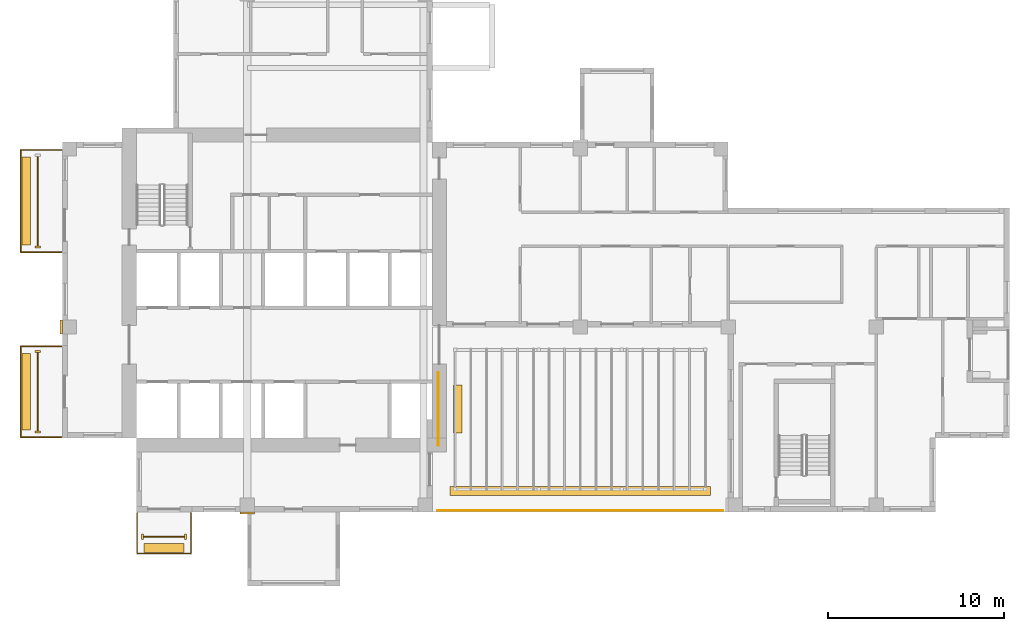
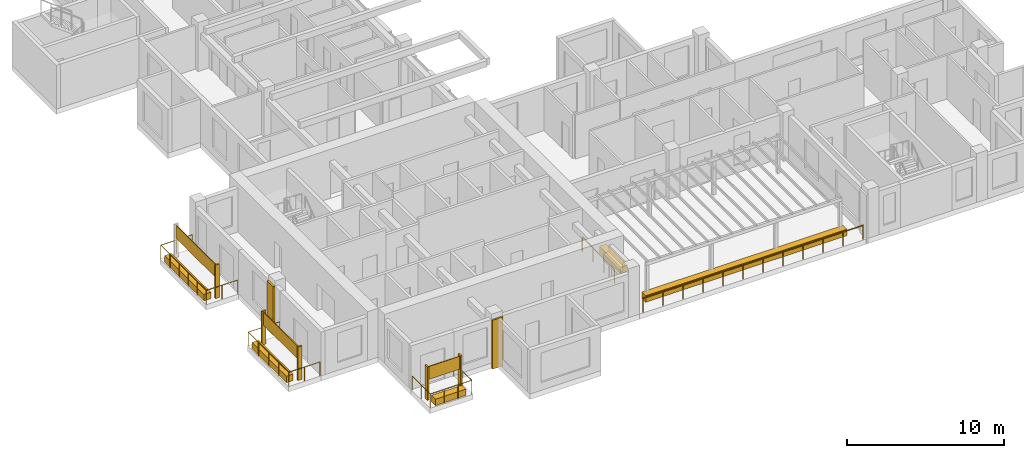
# One storey, part 10 of 13: 15 coverings, 5 railings.
"""IFC4 building model written with IfcOpenShell, lengths in metres."""

import ifcopenshell
import ifcopenshell.guid

model = None  # the IFC model being written
_history = None  # IfcOwnerHistory: only IFC2X3 demands one
_inside = {}  # id of a spatial element -> (the spatial element, [elements in it])
_under = {}  # id of a project, library or spatial element -> (it, [spatial elements below it])
_declared = {}  # id of a project -> (the project, [libraries it declares])
_typed = {}  # id of a type object -> (the type object, [elements of that type])
_made_of = {}  # id of a material, layer set ... -> (it, [elements and type objects made of it])


def new_model(schema):
    """Start an empty IFC model of exactly this schema.

    Asked for "IFC4X3", IfcOpenShell would pick the latest addendum, in which some entities
    have other attributes; the version numbers below select the first issue.
    IFC2X3 requires an IfcOwnerHistory on every rooted entity: one is made here for all.
    """
    global model, _history
    if schema == "IFC4X3":
        model = ifcopenshell.file(schema_version=(4, 3, 0, 0))
    else:
        model = ifcopenshell.file(schema=schema)
    _inside.clear()
    _under.clear()
    _declared.clear()
    _typed.clear()
    _made_of.clear()
    _history = None
    if model.schema == "IFC2X3":
        org = make("IfcOrganization", Name="unknown")
        user = make(
            "IfcPersonAndOrganization",
            ThePerson=make("IfcPerson", FamilyName="unknown"),
            TheOrganization=org,
        )
        app = make(
            "IfcApplication",
            ApplicationDeveloper=org,
            Version="unknown",
            ApplicationFullName="unknown",
            ApplicationIdentifier="unknown",
        )
        _history = make(
            "IfcOwnerHistory",
            OwningUser=user,
            OwningApplication=app,
            ChangeAction="ADDED",
            CreationDate=0,
        )
    return model


def make(cls, **values):
    """One entity of the class cls with the attributes given. An attribute that is None is left unset."""
    return model.create_entity(
        cls, **{name: value for name, value in values.items() if value is not None}
    )


def rooted(cls, **values):
    """An entity with a GlobalId (a new one), such as an element, a storey or a relation."""
    return make(cls, GlobalId=ifcopenshell.guid.new(), OwnerHistory=_history, **values)


def si_unit(unit_type, name, prefix=None):
    """IfcSIUnit, for example si_unit("LENGTHUNIT", "METRE", prefix="MILLI")."""
    return make("IfcSIUnit", UnitType=unit_type, Prefix=prefix, Name=name)


def assignment(units):
    """IfcUnitAssignment: the units of a project."""
    return None if units is None else make("IfcUnitAssignment", Units=units)


def point(xyz):
    """IfcCartesianPoint."""
    return None if xyz is None else make("IfcCartesianPoint", Coordinates=xyz)


def direction(xyz):
    """IfcDirection."""
    return None if xyz is None else make("IfcDirection", DirectionRatios=xyz)


def frame(location, z_axis=None, x_axis=None):
    """IfcAxis2Placement3D, a coordinate frame: its origin and axes. An axis left out is left unset."""
    return make(
        "IfcAxis2Placement3D",
        Location=point(location),
        Axis=direction(z_axis),
        RefDirection=direction(x_axis),
    )


def frame_2d(location, x_axis=None):
    """IfcAxis2Placement2D, a coordinate frame in the plane: its origin and x axis."""
    return make(
        "IfcAxis2Placement2D", Location=point(location), RefDirection=direction(x_axis)
    )


def origin():
    """The frame at (0, 0, 0) with its axes left unset."""
    return frame((0.0, 0.0, 0.0))


def origin_2d():
    """The frame at (0, 0) in the plane with its x axis left unset."""
    return frame_2d((0.0, 0.0))


def place(relative_to, where):
    """IfcLocalPlacement: puts the frame where relative to a parent placement (None: the world)."""
    return make(
        "IfcLocalPlacement", PlacementRelTo=relative_to, RelativePlacement=where
    )


def context(
    kind, dimensions, precision=None, world=None, true_north=None, identifier=None
):
    """IfcGeometricRepresentationContext, for example the 3D "Model" context."""
    return make(
        "IfcGeometricRepresentationContext",
        ContextIdentifier=identifier,
        ContextType=kind,
        CoordinateSpaceDimension=dimensions,
        Precision=precision,
        WorldCoordinateSystem=world,
        TrueNorth=true_north,
    )


def subcontext(parent, identifier, kind, view, scale=None):
    """IfcGeometricRepresentationSubContext, for example "Body" below "Model"."""
    return make(
        "IfcGeometricRepresentationSubContext",
        ContextIdentifier=identifier,
        ContextType=kind,
        ParentContext=parent,
        TargetScale=scale,
        TargetView=view,
    )


def project(units=None, contexts=None):
    """IfcProject with its units and contexts."""
    return rooted(
        "IfcProject",
        Name="project",
        RepresentationContexts=contexts,
        UnitsInContext=assignment(units),
    )


def spatial(cls, under=None, at=None, **own):
    """A site, building, storey or space (cls), placed at a placement, below another one or the project."""
    s = rooted(cls, ObjectPlacement=at, **own)
    if under is not None:
        _under.setdefault(under.id(), (under, []))[1].append(s)
    return s


def profile(cls, at=None, kind="AREA", **sizes):
    """A parametric profile (cls). Its sizes go by their IFC names, for example OverallWidth=200.0."""
    return make(cls, ProfileType=kind, Position=at, **sizes)


def rectangle(**sizes):
    """IfcRectangleProfileDef."""
    return profile("IfcRectangleProfileDef", **sizes)


def circle(**sizes):
    """IfcCircleProfileDef."""
    return profile("IfcCircleProfileDef", **sizes)


def extrude(swept, where, along, depth):
    """IfcExtrudedAreaSolid: the profile swept, set in the frame where, extruded along a direction by depth."""
    return make(
        "IfcExtrudedAreaSolid",
        SweptArea=swept,
        Position=where,
        ExtrudedDirection=direction(along),
        Depth=depth,
    )


def shape(context_of_items, identifier, shape_type, items):
    """IfcShapeRepresentation: the items that make up one representation, for example the "Body"."""
    return make(
        "IfcShapeRepresentation",
        ContextOfItems=context_of_items,
        RepresentationIdentifier=identifier,
        RepresentationType=shape_type,
        Items=items,
    )


def source(mapping_origin, context_of_items, identifier, shape_type, items):
    """IfcRepresentationMap: a shape defined once, which mapped items show again and again."""
    return make(
        "IfcRepresentationMap",
        MappingOrigin=mapping_origin,
        MappedRepresentation=shape(context_of_items, identifier, shape_type, items),
    )


def transform(
    local_origin,
    x_axis=None,
    y_axis=None,
    z_axis=None,
    scale=None,
    scale2=None,
    scale3=None,
    uniform=True,
):
    """IfcCartesianTransformationOperator3D, or its non-uniform kind. x_axis, y_axis, z_axis: its Axis1, 2, 3."""
    if uniform:
        return make(
            "IfcCartesianTransformationOperator3D",
            Axis1=direction(x_axis),
            Axis2=direction(y_axis),
            LocalOrigin=point(local_origin),
            Scale=scale,
            Axis3=direction(z_axis),
        )
    return make(
        "IfcCartesianTransformationOperator3DnonUniform",
        Axis1=direction(x_axis),
        Axis2=direction(y_axis),
        LocalOrigin=point(local_origin),
        Scale=scale,
        Axis3=direction(z_axis),
        Scale2=scale2,
        Scale3=scale3,
    )


def mapped(mapping_source, mapping_target):
    """IfcMappedItem: shows the shape of a source again, moved by a transform."""
    return make(
        "IfcMappedItem", MappingSource=mapping_source, MappingTarget=mapping_target
    )


def material(Name=None, Category=None):
    """IfcMaterial."""
    return make("IfcMaterial", Name=Name, Category=Category)


def made_of(thing, what):
    """Note that an element or type object is made of a material, layer set ...; save() writes the relation."""
    if what is not None:
        _made_of.setdefault(what.id(), (what, []))[1].append(thing)
    return thing


def type_object(cls, material=None, **own):
    """A type object (cls), such as IfcWallType, which elements share."""
    return made_of(rooted(cls, **own), material)


def element(
    cls,
    number,
    at=None,
    inside=None,
    cuts=None,
    type_object=None,
    material=None,
    context=None,
    identifier="Body",
    shape_type=None,
    held_by="IfcProductDefinitionShape",
    body=None,
    shapes=None,
    **own,
):
    """One element of the class cls, such as IfcWall. Its Tag is "e" and its number.

    at: its placement. inside: the storey or other place that contains it. cuts: it is an
    opening in that element (IfcRelVoidsElement). A single representation is given by context,
    identifier, shape_type and body (its items); several are given by shapes. held_by: the class
    of the entity that holds the representations. save() writes the other relations.
    """
    e = rooted(cls, Tag="e%d" % number, ObjectPlacement=at, **own)
    if body is not None:
        shapes = [shape(context, identifier, shape_type, body)]
    if shapes is not None:
        e.Representation = make(held_by, Representations=shapes)
    if inside is not None:
        _inside.setdefault(inside.id(), (inside, []))[1].append(e)
    if cuts is not None:
        rooted(
            "IfcRelVoidsElement", RelatingBuildingElement=cuts, RelatedOpeningElement=e
        )
    if type_object is not None:
        _typed.setdefault(type_object.id(), (type_object, []))[1].append(e)
    return made_of(e, material)


def aggregate(whole, parts):
    """IfcRelAggregates: a whole, such as a stair, and the parts it consists of."""
    return rooted("IfcRelAggregates", RelatingObject=whole, RelatedObjects=parts)


def save(model, path):
    """Write the relations noted so far, then the file.

    IfcRelAggregates (storeys below a building ...), IfcRelContainedInSpatialStructure (elements
    in a storey), IfcRelDefinesByType, IfcRelAssociatesMaterial and IfcRelDeclares: one each for
    every whole, place, type object, material and project.
    """
    for whole, parts in _under.values():
        aggregate(whole, parts)
    for where, things in _inside.values():
        rooted(
            "IfcRelContainedInSpatialStructure",
            RelatedElements=things,
            RelatingStructure=where,
        )
    for kind, things in _typed.values():
        rooted("IfcRelDefinesByType", RelatedObjects=things, RelatingType=kind)
    for what, things in _made_of.values():
        rooted("IfcRelAssociatesMaterial", RelatedObjects=things, RelatingMaterial=what)
    for by, libraries in _declared.values():
        rooted("IfcRelDeclares", RelatingContext=by, RelatedDefinitions=libraries)
    model.write(path)


model = new_model("IFC4")

# Units and contexts
model_context = context("Model", 3, precision=1e-05, world=origin(), true_north=direction((0.0, 1.0)))
body_context = subcontext(model_context, "Body", "Model", "MODEL_VIEW")
ifc_project = project(units=[si_unit("LENGTHUNIT", "METRE"), si_unit("AREAUNIT", "SQUARE_METRE"), si_unit("VOLUMEUNIT", "CUBIC_METRE"), si_unit("PLANEANGLEUNIT", "RADIAN"), si_unit("MASSUNIT", "GRAM", prefix="KILO")], contexts=[model_context])

# Site, building, storey
site_placement = place(None, origin())
site = spatial("IfcSite", under=ifc_project, at=site_placement, CompositionType="ELEMENT")
building_placement = place(site_placement, origin())
building = spatial("IfcBuilding", under=site, at=building_placement, Name="Aurelian Terraces", CompositionType="ELEMENT")
storey_placement = place(building_placement, frame((0.0, 0.0, 253.8)))
storey = spatial("IfcBuildingStorey", under=building, at=storey_placement, Name="L58", CompositionType="ELEMENT", Elevation=253.8)

# Railing
ifc_material_1 = material(Name="Anodised aluminium", Category="aluminium")
railing_type = type_object("IfcRailingType", Name="GUARD-1100", PredefinedType="GUARDRAIL", material=ifc_material_1)
railing_1_placement = place(storey_placement, frame((-0.05, 20.55, 0.0)))
element("IfcRailing", 1, at=railing_1_placement, inside=storey, type_object=railing_type, Name="Balcony guard L58 F24.38", PredefinedType="GUARDRAIL", context=body_context, shape_type="SweptSolid", body=[
    extrude(circle(Radius=0.024, at=origin_2d()), frame((0.0, 0.0, 1.076), z_axis=(-1.0, 0.0, 0.0), x_axis=(0.0, -1.0, 0.0)), (0.0, 0.0, 1.0), 2.3),
    extrude(circle(Radius=0.024, at=origin_2d()), frame((-2.3, 0.0, 1.076), z_axis=(0.0, -1.0, 0.0), x_axis=(1.0, 0.0, 0.0)), (0.0, 0.0, 1.0), 5.8),
    extrude(circle(Radius=0.024, at=origin_2d()), frame((-2.3, -5.8, 1.076), z_axis=(1.0, 0.0, 0.0), x_axis=(0.0, 1.0, 0.0)), (0.0, 0.0, 1.0), 2.3),
    extrude(circle(Radius=0.021, at=origin_2d()), origin(), (0.0, 0.0, 1.0), 1.052),
    extrude(circle(Radius=0.021, at=origin_2d()), frame((-1.15, 0.0, 0.0)), (0.0, 0.0, 1.0), 1.052),
    extrude(circle(Radius=0.021, at=origin_2d()), frame((-2.3, 0.0, 0.0)), (0.0, 0.0, 1.0), 1.052),
    extrude(circle(Radius=0.021, at=origin_2d()), frame((-2.3, -1.16, 0.0)), (0.0, 0.0, 1.0), 1.052),
    extrude(circle(Radius=0.021, at=origin_2d()), frame((-2.3, -2.32, 0.0)), (0.0, 0.0, 1.0), 1.052),
    extrude(circle(Radius=0.021, at=origin_2d()), frame((-2.3, -3.48, 0.0)), (0.0, 0.0, 1.0), 1.052),
    extrude(circle(Radius=0.021, at=origin_2d()), frame((-2.3, -4.64, 0.0)), (0.0, 0.0, 1.0), 1.052),
    extrude(circle(Radius=0.021, at=origin_2d()), frame((-2.3, -5.8, 0.0)), (0.0, 0.0, 1.0), 1.052),
    extrude(circle(Radius=0.021, at=origin_2d()), frame((-1.15, -5.8, 0.0)), (0.0, 0.0, 1.0), 1.052),
    extrude(circle(Radius=0.021, at=origin_2d()), frame((0.0, -5.8, 0.0)), (0.0, 0.0, 1.0), 1.052),
])

# Coverings
ifc_material_2 = material(Name="Terracotta planter with planting soil", Category="masonry")
covering_type_1 = type_object("IfcCoveringType", Name="PLANTER-TROUGH", PredefinedType="USERDEFINED", material=ifc_material_2)
covering_1_placement = place(storey_placement, frame((-2.05, 17.65, 0.0), z_axis=(0.0, 0.0, 1.0), x_axis=(1.0, 0.0, 0.0)))
element("IfcCovering", 2, at=covering_1_placement, inside=storey, type_object=covering_type_1, Name="PLANTER L58 L58-F24-38", ObjectType="PLANTER", PredefinedType="USERDEFINED", context=body_context, shape_type="SweptSolid", body=[
    extrude(rectangle(XDim=0.5, YDim=5.0, at=origin_2d()), origin(), (0.0, 0.0, 1.0), 0.5),
])
ifc_material_3 = material(Name="Terracotta rainscreen cladding", Category="masonry")
covering_type_2 = type_object("IfcCoveringType", Name="SCREEN-TC", PredefinedType="CLADDING", material=ifc_material_3)
covering_2_placement = place(storey_placement, frame((-1.4, 17.65, 1.5), z_axis=(0.0, 0.0, 1.0), x_axis=(1.0, 0.0, 0.0)))
element("IfcCovering", 3, at=covering_2_placement, inside=storey, type_object=covering_type_2, Name="SCREEN L58 L58-F24-38", PredefinedType="CLADDING", context=body_context, shape_type="SweptSolid", body=[
    extrude(rectangle(XDim=0.06, YDim=5.08, at=origin_2d()), origin(), (0.0, 0.0, 1.0), 1.0),
])
ifc_material_4 = material(Name="Terracotta rainscreen cladding relief", Category="masonry")
covering_type_3 = type_object("IfcCoveringType", Name="FIN-TC", PredefinedType="CLADDING", material=ifc_material_4)
shared_shape_1 = source(origin(), body_context, "Body", "SweptSolid", [
    extrude(rectangle(XDim=0.3, YDim=0.12, at=origin_2d()), origin(), (0.0, 0.0, 1.0), 2.6),
])
for number, where, z_axis, x_axis, name in (
    (4, (-1.4, 15.05, 0.0), (0.0, 0.0, 1.0), (1.0, 0.0, 0.0), "FIN L58 L58-F24-38.2"),
    (5, (-1.4, 9.1, 0.0), (0.0, 0.0, 1.0), (1.0, 0.0, 0.0), "FIN L58 L58-F24-40.1"),
    (6, (-1.4, 4.55, 0.0), (0.0, 0.0, 1.0), (1.0, 0.0, 0.0), "FIN L58 L58-F24-40.2"),
):
    element("IfcCovering", number, at=place(storey_placement, frame(where, z_axis=z_axis, x_axis=x_axis)), inside=storey, type_object=covering_type_3, Name=name, PredefinedType="CLADDING", context=body_context, shape_type="MappedRepresentation", body=[
        mapped(shared_shape_1, transform((0.0, 0.0, 0.0), scale=1.0)),
    ])
shared_shape_2 = source(origin(), body_context, "Body", "SweptSolid", [
    extrude(rectangle(XDim=0.12, YDim=0.3, at=origin_2d()), origin(), (0.0, 0.0, 1.0), 2.6),
])
for number, where, z_axis, x_axis, name in (
    (7, (4.55, -1.4, 0.0), (0.0, 0.0, 1.0), (1.0, 0.0, 0.0), "FIN L58 L58-F01-01.1"),
    (8, (7.0, -1.4, 0.0), (0.0, 0.0, 1.0), (1.0, 0.0, 0.0), "FIN L58 L58-F01-01.2"),
):
    element("IfcCovering", number, at=place(storey_placement, frame(where, z_axis=z_axis, x_axis=x_axis)), inside=storey, type_object=covering_type_3, Name=name, PredefinedType="CLADDING", context=body_context, shape_type="MappedRepresentation", body=[
        mapped(shared_shape_2, transform((0.0, 0.0, 0.0), scale=1.0)),
    ])

# Railing
shared_shape_3 = source(origin(), body_context, "Body", "SweptSolid", [
    extrude(circle(Radius=0.024, at=origin_2d()), frame((0.0, 0.0, 1.076), z_axis=(-1.0, 0.0, 0.0), x_axis=(0.0, -1.0, 0.0)), (0.0, 0.0, 1.0), 16.2),
    extrude(circle(Radius=0.021, at=origin_2d()), origin(), (0.0, 0.0, 1.0), 1.052),
    extrude(circle(Radius=0.021, at=origin_2d()), frame((-1.4727, 0.0, 0.0)), (0.0, 0.0, 1.0), 1.052),
    extrude(circle(Radius=0.021, at=origin_2d()), frame((-2.9455, 0.0, 0.0)), (0.0, 0.0, 1.0), 1.052),
    extrude(circle(Radius=0.021, at=origin_2d()), frame((-4.4182, 0.0, 0.0)), (0.0, 0.0, 1.0), 1.052),
    extrude(circle(Radius=0.021, at=origin_2d()), frame((-5.8909, 0.0, 0.0)), (0.0, 0.0, 1.0), 1.052),
    extrude(circle(Radius=0.021, at=origin_2d()), frame((-7.3636, 0.0, 0.0)), (0.0, 0.0, 1.0), 1.052),
    extrude(circle(Radius=0.021, at=origin_2d()), frame((-8.8364, 0.0, 0.0)), (0.0, 0.0, 1.0), 1.052),
    extrude(circle(Radius=0.021, at=origin_2d()), frame((-10.3091, 0.0, 0.0)), (0.0, 0.0, 1.0), 1.052),
    extrude(circle(Radius=0.021, at=origin_2d()), frame((-11.7818, 0.0, 0.0)), (0.0, 0.0, 1.0), 1.052),
    extrude(circle(Radius=0.021, at=origin_2d()), frame((-13.2545, 0.0, 0.0)), (0.0, 0.0, 1.0), 1.052),
    extrude(circle(Radius=0.021, at=origin_2d()), frame((-14.7273, 0.0, 0.0)), (0.0, 0.0, 1.0), 1.052),
    extrude(circle(Radius=0.021, at=origin_2d()), frame((-16.2, 0.0, 0.0)), (0.0, 0.0, 1.0), 1.052),
])
railing_2_placement = place(storey_placement, frame((37.5, 0.09, 0.0)))
element("IfcRailing", 9, at=railing_2_placement, inside=storey, type_object=railing_type, Name="Terrace guard L58 SKY-09-T1.1", PredefinedType="GUARDRAIL", context=body_context, shape_type="MappedRepresentation", body=[
    mapped(shared_shape_3, transform((0.0, 0.0, 0.0), scale=1.0)),
])

# Covering
shared_shape_4 = source(origin(), body_context, "Body", "SweptSolid", [
    extrude(rectangle(XDim=14.8, YDim=0.5, at=origin_2d()), origin(), (0.0, 0.0, 1.0), 0.5),
])
covering_3_placement = place(storey_placement, frame((29.4, 1.19, 0.0), z_axis=(0.0, 0.0, 1.0), x_axis=(1.0, 0.0, 0.0)))
element("IfcCovering", 10, at=covering_3_placement, inside=storey, type_object=covering_type_1, Name="PLANTER L58 terrace SKY-09-T1-0.1", ObjectType="PLANTER", PredefinedType="USERDEFINED", context=body_context, shape_type="MappedRepresentation", body=[
    mapped(shared_shape_4, transform((0.0, 0.0, 0.0), scale=1.0)),
])

# Railing
shared_shape_5 = source(origin(), body_context, "Body", "SweptSolid", [
    extrude(circle(Radius=0.024, at=origin_2d()), frame((0.0, 0.0, 1.076), z_axis=(0.0, 1.0, 0.0), x_axis=(-1.0, 0.0, 0.0)), (0.0, 0.0, 1.0), 4.1242),
    extrude(circle(Radius=0.021, at=origin_2d()), origin(), (0.0, 0.0, 1.0), 1.052),
    extrude(circle(Radius=0.021, at=origin_2d()), frame((0.0, 1.3747, 0.0)), (0.0, 0.0, 1.0), 1.052),
    extrude(circle(Radius=0.021, at=origin_2d()), frame((0.0, 2.7495, 0.0)), (0.0, 0.0, 1.0), 1.052),
    extrude(circle(Radius=0.021, at=origin_2d()), frame((0.0, 4.1242, 0.0)), (0.0, 0.0, 1.0), 1.052),
])
railing_3_placement = place(storey_placement, frame((21.35, 3.7758, 0.0)))
element("IfcRailing", 11, at=railing_3_placement, inside=storey, type_object=railing_type, Name="Terrace guard L58 SKY-09-T1.2", PredefinedType="GUARDRAIL", context=body_context, shape_type="MappedRepresentation", body=[
    mapped(shared_shape_5, transform((0.0, 0.0, 0.0), scale=1.0)),
])

# Covering
shared_shape_6 = source(origin(), body_context, "Body", "SweptSolid", [
    extrude(rectangle(XDim=0.5, YDim=2.7242, at=origin_2d()), origin(), (0.0, 0.0, 1.0), 0.5),
])
covering_4_placement = place(storey_placement, frame((22.45, 5.8379, 0.0), z_axis=(0.0, 0.0, 1.0), x_axis=(1.0, 0.0, 0.0)))
element("IfcCovering", 12, at=covering_4_placement, inside=storey, type_object=covering_type_1, Name="PLANTER L58 terrace SKY-09-T1-1.1", ObjectType="PLANTER", PredefinedType="USERDEFINED", context=body_context, shape_type="MappedRepresentation", body=[
    mapped(shared_shape_6, transform((0.0, 0.0, 0.0), scale=1.0)),
])

# Railing
shared_shape_7 = source(origin(), body_context, "Body", "SweptSolid", [
    extrude(circle(Radius=0.024, at=origin_2d()), frame((0.0, 0.0, 1.076), z_axis=(-1.0, 0.0, 0.0), x_axis=(0.0, -1.0, 0.0)), (0.0, 0.0, 1.0), 2.3),
    extrude(circle(Radius=0.024, at=origin_2d()), frame((-2.3, 0.0, 1.076), z_axis=(0.0, -1.0, 0.0), x_axis=(1.0, 0.0, 0.0)), (0.0, 0.0, 1.0), 5.15),
    extrude(circle(Radius=0.024, at=origin_2d()), frame((-2.3, -5.15, 1.076), z_axis=(1.0, 0.0, 0.0), x_axis=(0.0, 1.0, 0.0)), (0.0, 0.0, 1.0), 2.3),
    extrude(circle(Radius=0.021, at=origin_2d()), origin(), (0.0, 0.0, 1.0), 1.052),
    extrude(circle(Radius=0.021, at=origin_2d()), frame((-1.15, 0.0, 0.0)), (0.0, 0.0, 1.0), 1.052),
    extrude(circle(Radius=0.021, at=origin_2d()), frame((-2.3, 0.0, 0.0)), (0.0, 0.0, 1.0), 1.052),
    extrude(circle(Radius=0.021, at=origin_2d()), frame((-2.3, -1.2875, 0.0)), (0.0, 0.0, 1.0), 1.052),
    extrude(circle(Radius=0.021, at=origin_2d()), frame((-2.3, -2.575, 0.0)), (0.0, 0.0, 1.0), 1.052),
    extrude(circle(Radius=0.021, at=origin_2d()), frame((-2.3, -3.8625, 0.0)), (0.0, 0.0, 1.0), 1.052),
    extrude(circle(Radius=0.021, at=origin_2d()), frame((-2.3, -5.15, 0.0)), (0.0, 0.0, 1.0), 1.052),
    extrude(circle(Radius=0.021, at=origin_2d()), frame((-1.15, -5.15, 0.0)), (0.0, 0.0, 1.0), 1.052),
    extrude(circle(Radius=0.021, at=origin_2d()), frame((0.0, -5.15, 0.0)), (0.0, 0.0, 1.0), 1.052),
])
railing_4_placement = place(storey_placement, frame((-0.05, 9.4, 0.0)))
element("IfcRailing", 13, at=railing_4_placement, inside=storey, type_object=railing_type, Name="Balcony guard L58 F24.40", PredefinedType="GUARDRAIL", context=body_context, shape_type="MappedRepresentation", body=[
    mapped(shared_shape_7, transform((0.0, 0.0, 0.0), scale=1.0)),
])

# Coverings
shared_shape_8 = source(origin(), body_context, "Body", "SweptSolid", [
    extrude(rectangle(XDim=0.5, YDim=4.35, at=origin_2d()), origin(), (0.0, 0.0, 1.0), 0.5),
])
covering_5_placement = place(storey_placement, frame((-2.05, 6.825, 0.0), z_axis=(0.0, 0.0, 1.0), x_axis=(1.0, 0.0, 0.0)))
element("IfcCovering", 14, at=covering_5_placement, inside=storey, type_object=covering_type_1, Name="PLANTER L58 L58-F24-40", ObjectType="PLANTER", PredefinedType="USERDEFINED", context=body_context, shape_type="MappedRepresentation", body=[
    mapped(shared_shape_8, transform((0.0, 0.0, 0.0), scale=1.0)),
])
shared_shape_9 = source(origin(), body_context, "Body", "SweptSolid", [
    extrude(rectangle(XDim=0.06, YDim=4.43, at=origin_2d()), origin(), (0.0, 0.0, 1.0), 1.0),
])
covering_6_placement = place(storey_placement, frame((-1.4, 6.825, 1.5), z_axis=(0.0, 0.0, 1.0), x_axis=(1.0, 0.0, 0.0)))
element("IfcCovering", 15, at=covering_6_placement, inside=storey, type_object=covering_type_2, Name="SCREEN L58 L58-F24-40", PredefinedType="CLADDING", context=body_context, shape_type="MappedRepresentation", body=[
    mapped(shared_shape_9, transform((0.0, 0.0, 0.0), scale=1.0)),
])

# Railing
shared_shape_10 = source(origin(), body_context, "Body", "SweptSolid", [
    extrude(circle(Radius=0.024, at=origin_2d()), frame((0.0, 0.0, 1.076), z_axis=(0.0, -1.0, 0.0), x_axis=(1.0, 0.0, 0.0)), (0.0, 0.0, 1.0), 2.3),
    extrude(circle(Radius=0.024, at=origin_2d()), frame((0.0, -2.3, 1.076), z_axis=(1.0, 0.0, 0.0), x_axis=(0.0, 1.0, 0.0)), (0.0, 0.0, 1.0), 3.05),
    extrude(circle(Radius=0.024, at=origin_2d()), frame((3.05, -2.3, 1.076), z_axis=(0.0, 1.0, 0.0), x_axis=(-1.0, 0.0, 0.0)), (0.0, 0.0, 1.0), 2.3),
    extrude(circle(Radius=0.021, at=origin_2d()), origin(), (0.0, 0.0, 1.0), 1.052),
    extrude(circle(Radius=0.021, at=origin_2d()), frame((0.0, -1.15, 0.0)), (0.0, 0.0, 1.0), 1.052),
    extrude(circle(Radius=0.021, at=origin_2d()), frame((0.0, -2.3, 0.0)), (0.0, 0.0, 1.0), 1.052),
    extrude(circle(Radius=0.021, at=origin_2d()), frame((1.0167, -2.3, 0.0)), (0.0, 0.0, 1.0), 1.052),
    extrude(circle(Radius=0.021, at=origin_2d()), frame((2.0333, -2.3, 0.0)), (0.0, 0.0, 1.0), 1.052),
    extrude(circle(Radius=0.021, at=origin_2d()), frame((3.05, -2.3, 0.0)), (0.0, 0.0, 1.0), 1.052),
    extrude(circle(Radius=0.021, at=origin_2d()), frame((3.05, -1.15, 0.0)), (0.0, 0.0, 1.0), 1.052),
    extrude(circle(Radius=0.021, at=origin_2d()), frame((3.05, 0.0, 0.0)), (0.0, 0.0, 1.0), 1.052),
])
railing_5_placement = place(storey_placement, frame((4.25, -0.05, 0.0)))
element("IfcRailing", 16, at=railing_5_placement, inside=storey, type_object=railing_type, Name="Balcony guard L58 F01.1", PredefinedType="GUARDRAIL", context=body_context, shape_type="MappedRepresentation", body=[
    mapped(shared_shape_10, transform((0.0, 0.0, 0.0), scale=1.0)),
])

# Coverings
shared_shape_11 = source(origin(), body_context, "Body", "SweptSolid", [
    extrude(rectangle(XDim=2.25, YDim=0.5, at=origin_2d()), origin(), (0.0, 0.0, 1.0), 0.5),
])
covering_7_placement = place(storey_placement, frame((5.775, -2.05, 0.0), z_axis=(0.0, 0.0, 1.0), x_axis=(1.0, 0.0, 0.0)))
element("IfcCovering", 17, at=covering_7_placement, inside=storey, type_object=covering_type_1, Name="PLANTER L58 L58-F01-01", ObjectType="PLANTER", PredefinedType="USERDEFINED", context=body_context, shape_type="MappedRepresentation", body=[
    mapped(shared_shape_11, transform((0.0, 0.0, 0.0), scale=1.0)),
])
shared_shape_12 = source(origin(), body_context, "Body", "SweptSolid", [
    extrude(rectangle(XDim=2.33, YDim=0.06, at=origin_2d()), origin(), (0.0, 0.0, 1.0), 1.0),
])
covering_8_placement = place(storey_placement, frame((5.775, -1.4, 1.5), z_axis=(0.0, 0.0, 1.0), x_axis=(1.0, 0.0, 0.0)))
element("IfcCovering", 18, at=covering_8_placement, inside=storey, type_object=covering_type_2, Name="SCREEN L58 L58-F01-01", PredefinedType="CLADDING", context=body_context, shape_type="MappedRepresentation", body=[
    mapped(shared_shape_12, transform((0.0, 0.0, 0.0), scale=1.0)),
])
covering_type_4 = type_object("IfcCoveringType", Name="BAGUETTE-TC", PredefinedType="CLADDING", material=ifc_material_4)
shared_shape_13 = source(origin(), body_context, "Body", "SweptSolid", [
    extrude(rectangle(XDim=0.8, YDim=0.12, at=origin_2d()), origin(), (0.0, 0.0, 1.0), 3.8),
])
covering_9_placement = place(storey_placement, frame((10.5, -0.06, -0.4), z_axis=(0.0, 0.0, 1.0), x_axis=(1.0, 0.0, 0.0)))
element("IfcCovering", 19, at=covering_9_placement, inside=storey, type_object=covering_type_4, Name="BAGUETTE pier L58 1", PredefinedType="CLADDING", context=body_context, shape_type="MappedRepresentation", body=[
    mapped(shared_shape_13, transform((0.0, 0.0, 0.0), scale=1.0)),
])
shared_shape_14 = source(origin(), body_context, "Body", "SweptSolid", [
    extrude(rectangle(XDim=0.12, YDim=0.8, at=origin_2d()), origin(), (0.0, 0.0, 1.0), 3.8),
])
covering_10_placement = place(storey_placement, frame((-0.06, 10.5, -0.4), z_axis=(0.0, 0.0, 1.0), x_axis=(1.0, 0.0, 0.0)))
element("IfcCovering", 20, at=covering_10_placement, inside=storey, type_object=covering_type_4, Name="BAGUETTE pier L58 3", PredefinedType="CLADDING", context=body_context, shape_type="MappedRepresentation", body=[
    mapped(shared_shape_14, transform((0.0, 0.0, 0.0), scale=1.0)),
])

save(model, "model.ifc")
